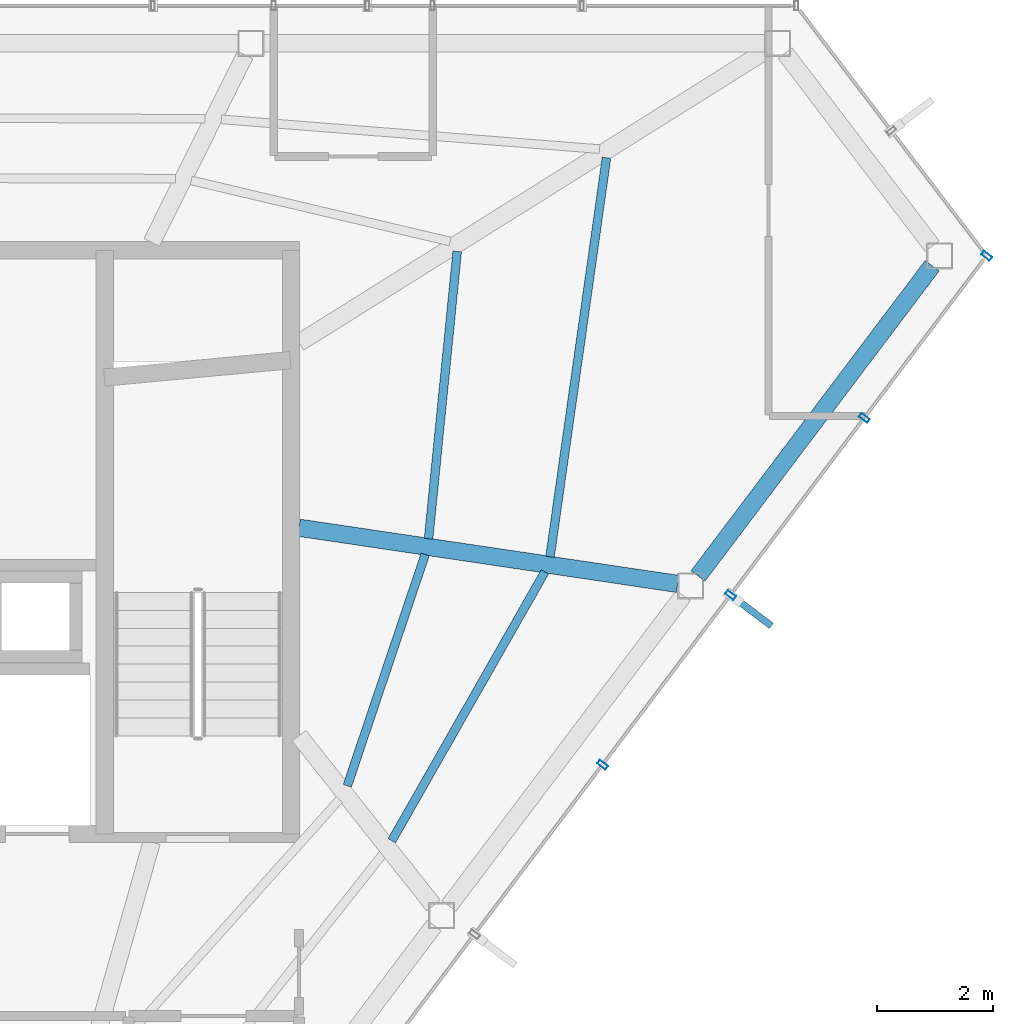
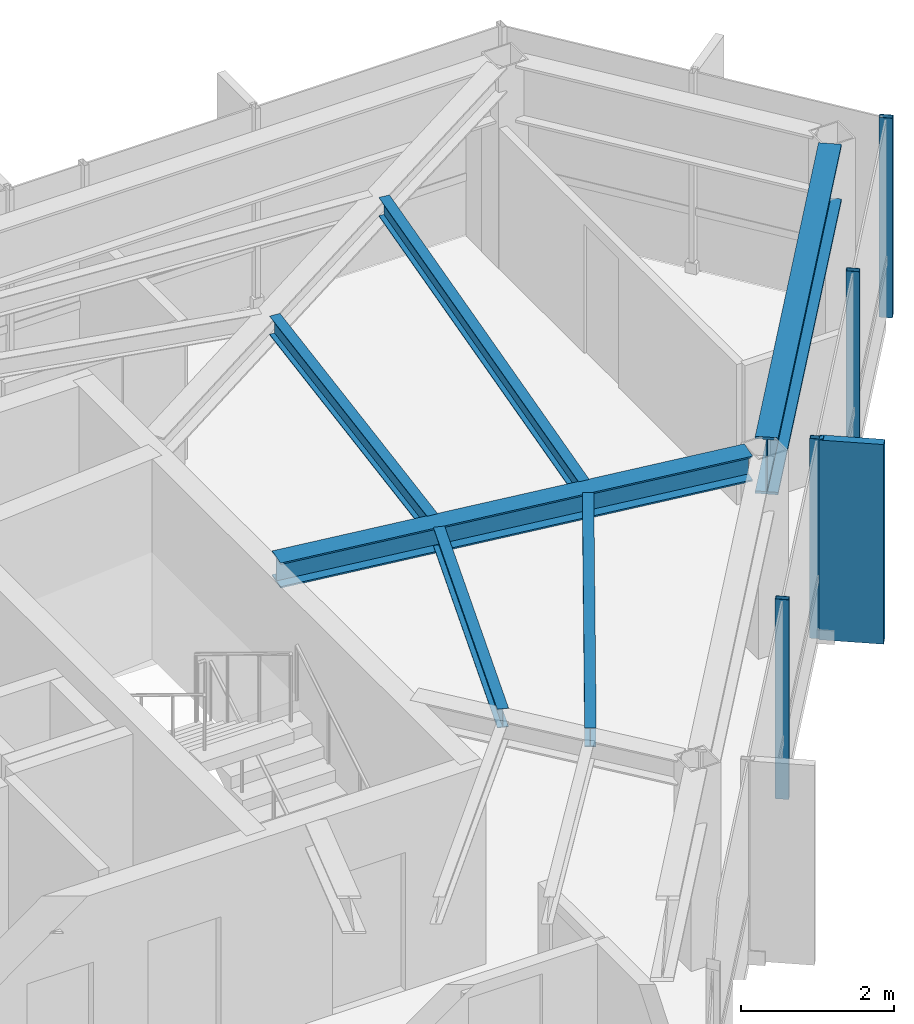
# One storey, part 17 of 23: 6 beams, 5 members, 1 element without a shape of its own.
"""IFC4 building model written with IfcOpenShell, lengths in metres."""

from ifc_helpers import new_model, si_unit, direction, frame, origin, origin_2d, place, context, subcontext, project, spatial, rectangle, hollow_rectangle, i_section, extrude, material, layer, layer_set, material_profile, profile_set, type_object, element, aggregate, save


model = new_model("IFC4")

# Units and contexts
model_context = context("Model", 3, precision=1e-05, world=origin(), true_north=direction((0.0, 1.0)))
body_context = subcontext(model_context, "Body", "Model", "MODEL_VIEW")
ifc_project = project(units=[si_unit("LENGTHUNIT", "METRE"), si_unit("AREAUNIT", "SQUARE_METRE"), si_unit("VOLUMEUNIT", "CUBIC_METRE"), si_unit("PLANEANGLEUNIT", "RADIAN"), si_unit("MASSUNIT", "GRAM", prefix="KILO")], contexts=[model_context])

# Site, building, storey
site_placement = place(None, origin())
site = spatial("IfcSite", under=ifc_project, at=site_placement, CompositionType="ELEMENT")
building_placement = place(site_placement, origin())
building = spatial("IfcBuilding", under=site, at=building_placement, Name="Zarrinselat Tower", CompositionType="ELEMENT")
storey_placement = place(building_placement, frame((0.0, 0.0, 278.800048828125)))
storey = spatial("IfcBuildingStorey", under=building, at=storey_placement, Name="L71", CompositionType="ELEMENT", Elevation=278.800048828125)

# Beams
ifc_material_1 = material(Name="Steel S355J2", Category="steel")
ifc_material_profile_1 = material_profile(ifc_material_1, i_section(OverallWidth=0.300048828125, OverallDepth=0.39990234375, WebThickness=0.013427734375, FlangeThickness=0.02392578125, at=origin_2d()), Name="HEB 400")
ifc_profile_set_1 = profile_set([ifc_material_profile_1], Name="Steel S355J2")
beam_type_1 = type_object("IfcBeamType", Name="BM-HEB400", PredefinedType="BEAM", material=ifc_profile_set_1)
beam_1_placement = place(storey_placement, frame((48.35009765625, 38.60009765625, 2.97998046875), z_axis=(0.989183462234, -0.146683598413, 0.0), x_axis=(0.146683598413, 0.989183462234, 0.0)))
element("IfcBeam", 1, at=beam_1_placement, inside=storey, type_object=beam_type_1, Name="L71 Radial Primary Girder RG14", PredefinedType="BEAM", context=body_context, shape_type="SweptSolid", body=[
    extrude(i_section(OverallWidth=0.300048828125, OverallDepth=0.39990234375, WebThickness=0.013427734375, FlangeThickness=0.02392578125, at=origin_2d()), origin(), (0.0, 0.0, 1.0), 6.62255859375),
])
ifc_material_2 = material(Name="Steel S460M", Category="steel")
ifc_material_profile_2 = material_profile(ifc_material_2, i_section(OverallWidth=0.302001953125, OverallDepth=0.909912109375, WebThickness=0.02099609375, FlangeThickness=0.0400390625, at=origin_2d()), Name="HEM 900")
ifc_profile_set_2 = profile_set([ifc_material_profile_2], Name="Steel S460M")
beam_type_2 = type_object("IfcBeamType", Name="BM-HEM900", PredefinedType="BEAM", material=ifc_profile_set_2)
beam_2_placement = place(storey_placement, frame((55.25390625, 37.765380859375, 2.724853515625), z_axis=(0.602471040777, 0.798140742617, 0.0), x_axis=(-0.798140742617, 0.602471040777, 0.0)))
element("IfcBeam", 2, at=beam_2_placement, inside=storey, type_object=beam_type_2, Name="L71 Perimeter Spandrel Girder SP14", PredefinedType="BEAM", context=body_context, shape_type="SweptSolid", body=[
    extrude(i_section(OverallWidth=0.302001953125, OverallDepth=0.909912109375, WebThickness=0.02099609375, FlangeThickness=0.0400390625, at=origin_2d()), origin(), (0.0, 0.0, 1.0), 6.7265625),
])
ifc_material_3 = material(Name="Steel S355J2", Category="steel")
ifc_material_profile_3 = material_profile(ifc_material_3, i_section(OverallWidth=0.14990234375, OverallDepth=0.300048828125, WebThickness=0.007080078125, FlangeThickness=0.0107421875, at=origin_2d()), Name="IPE 300")
ifc_profile_set_3 = profile_set([ifc_material_profile_3], Name="Steel S355J2")
beam_type_3 = type_object("IfcBeamType", Name="BM-IPE300", PredefinedType="JOIST", material=ifc_profile_set_3)
beam_3_placement = place(storey_placement, frame((49.954345703125, 33.18408203125, 3.030029296875), z_axis=(0.494906039578, 0.86894649547, 0.0), x_axis=(-0.86894649547, 0.494906039578, 0.0)))
element("IfcBeam", 3, at=beam_3_placement, inside=storey, type_object=beam_type_3, Name="L71 Composite Floor Joist 4-1", PredefinedType="JOIST", context=body_context, shape_type="SweptSolid", body=[
    extrude(i_section(OverallWidth=0.14990234375, OverallDepth=0.300048828125, WebThickness=0.007080078125, FlangeThickness=0.0107421875, at=origin_2d()), origin(), (0.0, 0.0, 1.0), 5.354736328125),
])
beam_4_placement = place(storey_placement, frame((49.185302734375, 34.134521484375, 3.030029296875), z_axis=(0.319053270003, 0.947736783553, 0.0), x_axis=(-0.947736783553, 0.319053270003, 0.0)))
element("IfcBeam", 4, at=beam_4_placement, inside=storey, type_object=beam_type_3, Name="L71 Composite Floor Joist 4-2", PredefinedType="JOIST", context=body_context, shape_type="SweptSolid", body=[
    extrude(i_section(OverallWidth=0.14990234375, OverallDepth=0.300048828125, WebThickness=0.007080078125, FlangeThickness=0.0107421875, at=origin_2d()), origin(), (0.0, 0.0, 1.0), 4.22314453125),
])
beam_5_placement = place(storey_placement, frame((52.693359375, 38.097412109375, 3.030029296875), z_axis=(0.140093109878, 0.990138334055, 0.0), x_axis=(-0.990138334055, 0.140093109878, 0.0)))
element("IfcBeam", 5, at=beam_5_placement, inside=storey, type_object=beam_type_3, Name="L71 Composite Floor Joist 5-1", PredefinedType="JOIST", context=body_context, shape_type="SweptSolid", body=[
    extrude(i_section(OverallWidth=0.14990234375, OverallDepth=0.300048828125, WebThickness=0.007080078125, FlangeThickness=0.0107421875, at=origin_2d()), origin(), (0.0, 0.0, 1.0), 6.974365234375),
])
beam_6_placement = place(storey_placement, frame((50.59130859375, 38.408935546875, 3.030029296875), z_axis=(0.099165150099, 0.995070988928, 0.0), x_axis=(-0.995070988928, 0.099165150099, 0.0)))
element("IfcBeam", 6, at=beam_6_placement, inside=storey, type_object=beam_type_3, Name="L71 Composite Floor Joist 5-2", PredefinedType="JOIST", context=body_context, shape_type="SweptSolid", body=[
    extrude(i_section(OverallWidth=0.14990234375, OverallDepth=0.300048828125, WebThickness=0.007080078125, FlangeThickness=0.0107421875, at=origin_2d()), origin(), (0.0, 0.0, 1.0), 4.997802734375),
])

# Curtain wall, members
ifc_material_4 = material(Name="Extruded Aluminium Alloy EN AW-6063 T6", Category="aluminium")
ifc_layer = layer(ifc_material_4, 0.199951171875)
ifc_layer_set = layer_set([ifc_layer], Name="Extruded Aluminium Alloy EN AW-6063 T6")
curtain_wall_type = type_object("IfcCurtainWallType", Name="CWS-BLADE", PredefinedType="NOTDEFINED", material=ifc_layer_set)
curtain_wall_placement = place(storey_placement, origin())
curtain_wall = element("IfcCurtainWall", 7, at=curtain_wall_placement, inside=storey, type_object=curtain_wall_type, Name="L71 Unitised Curtain Wall CW-L71-E05", PredefinedType="NOTDEFINED")
ifc_material_5 = material(Name="Extruded Aluminium Alloy EN AW-6063 T6", Category="aluminium")
ifc_material_profile_4 = material_profile(ifc_material_5, hollow_rectangle(XDim=0.080078125, YDim=0.179931640625, WallThickness=0.0048828125, at=origin_2d()), Name="RHS 180x80x5")
ifc_profile_set_4 = profile_set([ifc_material_profile_4], Name="Extruded Aluminium Alloy EN AW-6063 T6")
member_type_1 = type_object("IfcMemberType", Name="MEM-CW-MUL", PredefinedType="MULLION", material=ifc_profile_set_4)
member_1_placement = place(storey_placement, frame((53.6025390625, 34.498291015625, 0.0), z_axis=(0.0, 0.0, 1.0), x_axis=(0.602445101176, 0.798160322284, 0.0)))
member_1 = element("IfcMember", 8, at=member_1_placement, type_object=member_type_1, Name="CW-L71-E05 Mullion 6", PredefinedType="MULLION", context=body_context, shape_type="SweptSolid", body=[
    extrude(hollow_rectangle(XDim=0.080078125, YDim=0.179931640625, WallThickness=0.0048828125, at=origin_2d()), origin(), (0.0, 0.0, 1.0), 3.179931640625),
])
member_2_placement = place(storey_placement, frame((55.818359375, 37.43408203125, 0.0), z_axis=(0.0, 0.0, 1.0), x_axis=(0.602445101176, 0.798160322284, 0.0)))
member_2 = element("IfcMember", 9, at=member_2_placement, type_object=member_type_1, Name="CW-L71-E05 Mullion 7", PredefinedType="MULLION", context=body_context, shape_type="SweptSolid", body=[
    extrude(hollow_rectangle(XDim=0.080078125, YDim=0.179931640625, WallThickness=0.0048828125, at=origin_2d()), origin(), (0.0, 0.0, 1.0), 3.179931640625),
])
member_3_placement = place(storey_placement, frame((58.1318359375, 40.4990234375, 0.0), z_axis=(0.0, 0.0, 1.0), x_axis=(0.602445101176, 0.798160322284, 0.0)))
member_3 = element("IfcMember", 10, at=member_3_placement, type_object=member_type_1, Name="CW-L71-E05 Mullion 8", PredefinedType="MULLION", context=body_context, shape_type="SweptSolid", body=[
    extrude(hollow_rectangle(XDim=0.080078125, YDim=0.179931640625, WallThickness=0.0048828125, at=origin_2d()), origin(), (0.0, 0.0, 1.0), 3.179931640625),
])
member_4_placement = place(storey_placement, frame((60.250244140625, 43.3056640625, 0.0), z_axis=(0.0, 0.0, 1.0), x_axis=(0.602445101176, 0.798160322284, 0.0)))
member_4 = element("IfcMember", 11, at=member_4_placement, type_object=member_type_1, Name="CW-L71-E05 Mullion 9", PredefinedType="MULLION", context=body_context, shape_type="SweptSolid", body=[
    extrude(hollow_rectangle(XDim=0.080078125, YDim=0.179931640625, WallThickness=0.0048828125, at=origin_2d()), origin(), (0.0, 0.0, 1.0), 3.179931640625),
])
ifc_material_6 = material(Name="Honed Cream Travertine Stone", Category="masonry")
ifc_material_profile_5 = material_profile(ifc_material_6, rectangle(XDim=0.1201171875, YDim=0.85009765625, at=origin_2d()), Name="FIN 850x120")
ifc_profile_set_5 = profile_set([ifc_material_profile_5], Name="Honed Cream Travertine Stone")
member_type_2 = type_object("IfcMemberType", Name="MEM-STONE-FIN", PredefinedType="USERDEFINED", material=ifc_profile_set_5)
member_5_placement = place(storey_placement, frame((56.185546875, 37.156982421875, 0.0), z_axis=(0.0, 0.0, 1.0), x_axis=(-0.602445101176, -0.798160322284, 0.0)))
member_5 = element("IfcMember", 12, at=member_5_placement, type_object=member_type_2, Name="L71 Stone Shading Fin CW-L71-E05-07", ObjectType="FIN", PredefinedType="USERDEFINED", context=body_context, shape_type="SweptSolid", body=[
    extrude(rectangle(XDim=0.1201171875, YDim=0.85009765625, at=origin_2d()), origin(), (0.0, 0.0, 1.0), 3.179931640625),
])
aggregate(curtain_wall, [member_1, member_2, member_5, member_3, member_4])

save(model, "model.ifc")
